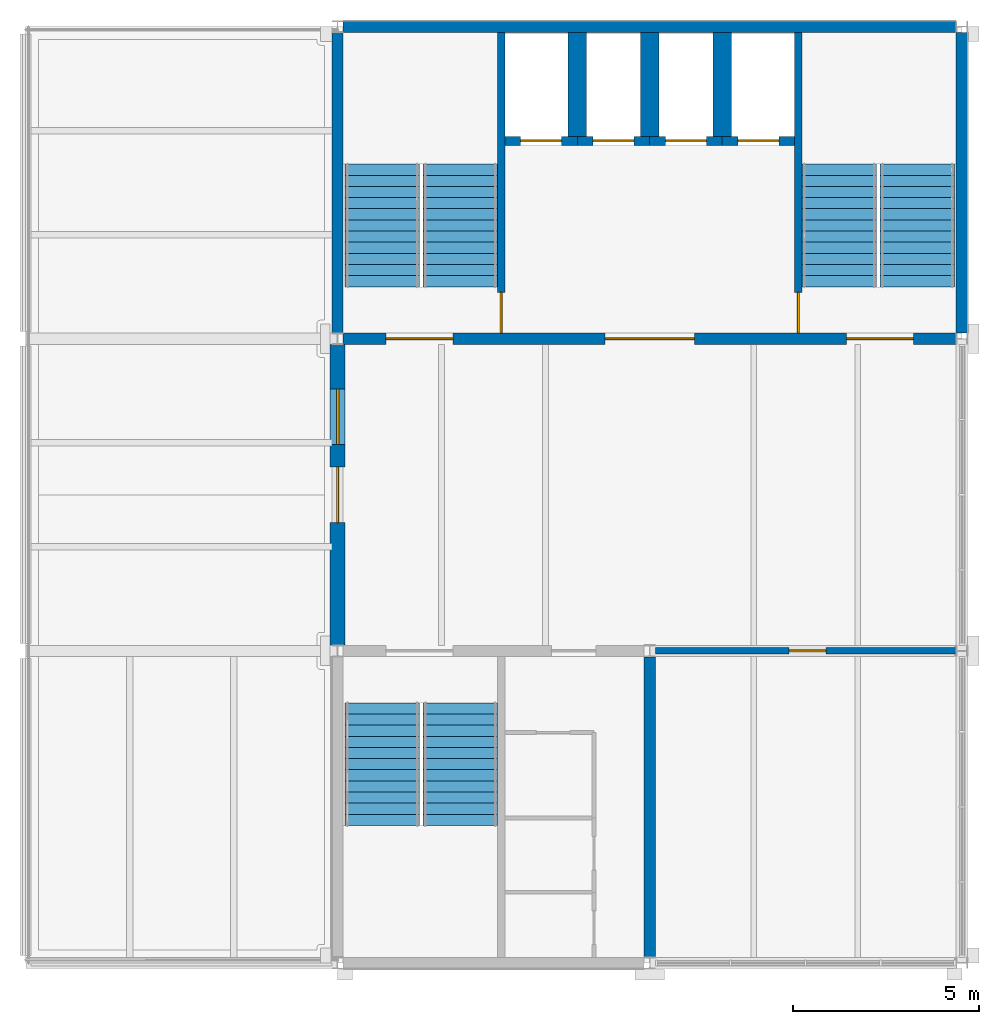
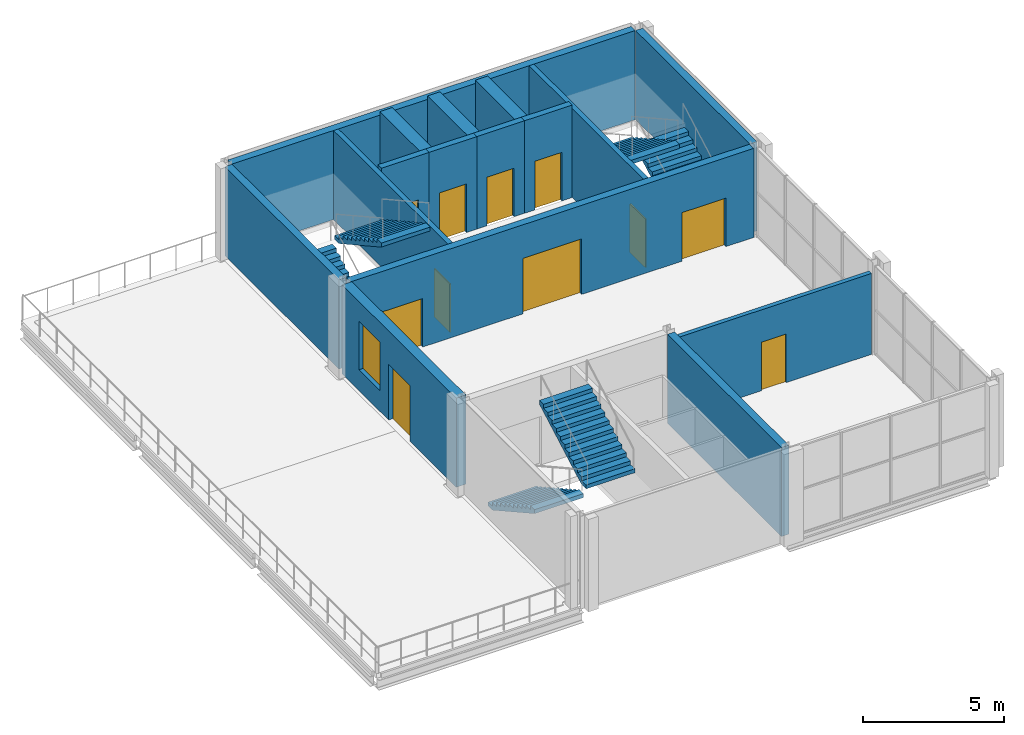
# One storey, part 5 of 6: 16 walls, 11 doors, 6 stair flights, 1 window, 12 openings, 3 elements without a shape of their own.
"""IFC4 building model written with IfcOpenShell, lengths in metres."""

from ifc_helpers import new_model, si_unit, direction, frame, frame_2d, origin, place, context, subcontext, project, spatial, polyline, rectangle, outline, extrude, material, layer, layer_set, type_object, element, fill, aggregate, save


model = new_model("IFC4")

# Units and contexts
model_context = context("Model", 3, precision=1e-05, world=origin(), true_north=direction((0.0, 1.0)))
body_context = subcontext(model_context, "Body", "Model", "MODEL_VIEW")
ifc_project = project(units=[si_unit("LENGTHUNIT", "METRE"), si_unit("AREAUNIT", "SQUARE_METRE"), si_unit("VOLUMEUNIT", "CUBIC_METRE"), si_unit("PLANEANGLEUNIT", "RADIAN"), si_unit("MASSUNIT", "GRAM", prefix="KILO")], contexts=[model_context])

# Site, building, storey
site_placement = place(None, origin())
site = spatial("IfcSite", under=ifc_project, at=site_placement, CompositionType="ELEMENT")
building_placement = place(site_placement, origin())
building = spatial("IfcBuilding", under=site, at=building_placement, Name="Galleria Vessillo Department Store", CompositionType="ELEMENT")
storey_placement = place(building_placement, frame((0.0, 0.0, 59.60009765625)))
storey = spatial("IfcBuildingStorey", under=building, at=storey_placement, Name="L13", CompositionType="ELEMENT", Elevation=59.60009765625)

# Wall, opening, door
ifc_material_1 = material(Name="Acoustic gypsum board partition")
ifc_layer_1 = layer(ifc_material_1, 0.175048828125)
ifc_layer_set_1 = layer_set([ifc_layer_1], Name="Acoustic gypsum board partition")
wall_type_1 = type_object("IfcWallType", Name="Acoustic conference partition 175 mm", PredefinedType="PARTITIONING", material=ifc_layer_set_1)
wall_1_placement = place(storey_placement, frame((109.349853515625, 46.199951171875, 0.0), z_axis=(0.0, 0.0, 1.0), x_axis=(1.0, 0.0, 0.0)))
wall_1 = element("IfcWall", 1, at=wall_1_placement, inside=storey, type_object=wall_type_1, Name="Partition wall PT6 on L13 no. 007", PredefinedType="PARTITIONING", context=body_context, shape_type="SweptSolid", body=[
    extrude(rectangle(XDim=8.09033203125, YDim=0.175048828125, at=frame_2d((4.045166015625, 0.0))), origin(), (0.0, 0.0, 1.0), 3.5),
])
opening_1_placement = place(wall_1_placement, frame((3.60009765625, 0.0, 0.0)))
opening_1 = element("IfcOpeningElement", 2, at=opening_1_placement, cuts=wall_1, Name="Opening D3504", PredefinedType="OPENING", context=body_context, shape_type="SweptSolid", body=[
    extrude(rectangle(XDim=1.0, YDim=2.10009765625, at=frame_2d((0.5, 1.050048828125))), frame((0.0, 0.09765625, 0.0), z_axis=(0.0, -1.0, 0.0), x_axis=(1.0, 0.0, 0.0)), (0.0, 0.0, 1.0), 0.195068359375),
])
ifc_material_2 = material(Name="Timber and glass door leaf", Category="wood")
door_type_1 = type_object("IfcDoorType", Name="Floor door 1000 single leaf", OperationType="SINGLE_SWING_LEFT", PredefinedType="DOOR", material=ifc_material_2)
door_1_placement = place(opening_1_placement, frame((1.0, 0.0, 0.0), z_axis=(0.0, 0.0, 1.0), x_axis=(-1.0, 0.0, 0.0)))
door_1 = element("IfcDoor", 3, at=door_1_placement, inside=storey, type_object=door_type_1, Name="Door D3504", OperationType="SINGLE_SWING_RIGHT", OverallHeight=2.10009765625, OverallWidth=1.0, PredefinedType="DOOR", context=body_context, shape_type="SweptSolid", body=[
    extrude(rectangle(XDim=1.0, YDim=2.10009765625, at=frame_2d((0.5, 1.050048828125))), frame((0.0, 0.02490234375, 0.0), z_axis=(0.0, -1.0, 0.0), x_axis=(1.0, 0.0, 0.0)), (0.0, 0.0, 1.0), 0.050048828125),
])
fill(opening_1, door_1)

# Walls
ifc_material_3 = material(Name="Solid clay block masonry", Category="masonry")
ifc_layer_2 = layer(ifc_material_3, 0.5)
ifc_layer_set_2 = layer_set([ifc_layer_2], Name="Solid clay block masonry")
wall_type_2 = type_object("IfcWallType", Name="Lift shaft partition wall 500 mm", PredefinedType="SOLIDWALL", material=ifc_layer_set_2)
for number, where, z_axis, x_axis, name in (
    (4, (107.25, 62.85009765625, 0.0), (0.0, 0.0, 1.0), (0.0, -1.0, 0.0), "Lift shaft partition wall T1 L13"),
    (5, (109.199951171875, 62.85009765625, 0.0), (0.0, 0.0, 1.0), (0.0, -1.0, 0.0), "Lift shaft partition wall T2 L13"),
    (6, (111.14990234375, 62.85009765625, 0.0), (0.0, 0.0, 1.0), (0.0, -1.0, 0.0), "Lift shaft partition wall T3 L13"),
):
    element("IfcWall", number, at=place(storey_placement, frame(where, z_axis=z_axis, x_axis=x_axis)), inside=storey, type_object=wall_type_2, Name=name, PredefinedType="SOLIDWALL", context=body_context, shape_type="SweptSolid", body=[
        extrude(rectangle(XDim=2.800048828125, YDim=0.5, at=frame_2d((1.39990234375, 0.0))), origin(), (0.0, 0.0, 1.0), 4.0),
    ])

# Wall, opening, door
ifc_material_4 = material(Name="Solid clay block masonry", Category="masonry")
ifc_layer_3 = layer(ifc_material_4, 0.25)
ifc_layer_set_3 = layer_set([ifc_layer_3], Name="Solid clay block masonry")
wall_type_3 = type_object("IfcWallType", Name="Lift shaft wall 250 mm", PredefinedType="SOLIDWALL", material=ifc_layer_set_3)
wall_2_placement = place(storey_placement, frame((105.300048828125, 59.925048828125, 0.0), z_axis=(0.0, 0.0, 1.0), x_axis=(1.0, 0.0, 0.0)))
wall_2 = element("IfcWall", 7, at=wall_2_placement, inside=storey, type_object=wall_type_3, Name="Lift shaft wall T1 landing side L13", PredefinedType="SOLIDWALL", context=body_context, shape_type="SweptSolid", body=[
    extrude(rectangle(XDim=1.949951171875, YDim=0.25, at=frame_2d((0.97509765625, 0.0))), origin(), (0.0, 0.0, 1.0), 4.0),
])
opening_2_placement = place(wall_2_placement, frame((0.4248046875, 0.0, 0.0)))
opening_2 = element("IfcOpeningElement", 8, at=opening_2_placement, cuts=wall_2, Name="Opening LD125", PredefinedType="OPENING", context=body_context, shape_type="SweptSolid", body=[
    extrude(rectangle(XDim=1.10009765625, YDim=2.10009765625, at=frame_2d((0.550048828125, 1.050048828125))), frame((0.0, 0.135009765625, 0.0), z_axis=(0.0, -1.0, 0.0), x_axis=(1.0, 0.0, 0.0)), (0.0, 0.0, 1.0), 0.27001953125),
])
ifc_material_5 = material(Name="Stainless steel lift door panel", Category="steel")
door_type_2 = type_object("IfcDoorType", Name="Lift landing door LD110 sliding 1100 x 2100", OperationType="SLIDING_TO_LEFT", PredefinedType="DOOR", material=ifc_material_5)
door_2_placement = place(opening_2_placement, frame((1.10009765625, 0.0, 0.0), z_axis=(0.0, 0.0, 1.0), x_axis=(-1.0, 0.0, 0.0)))
door_2 = element("IfcDoor", 9, at=door_2_placement, inside=storey, type_object=door_type_2, Name="Lift landing door T1 L13", OperationType="SLIDING_TO_RIGHT", OverallHeight=2.10009765625, OverallWidth=1.10009765625, PredefinedType="DOOR", context=body_context, shape_type="SweptSolid", body=[
    extrude(rectangle(XDim=1.10009765625, YDim=2.10009765625, at=frame_2d((0.550048828125, 1.050048828125))), frame((0.0, 0.02490234375, 0.0), z_axis=(0.0, -1.0, 0.0), x_axis=(1.0, 0.0, 0.0)), (0.0, 0.0, 1.0), 0.050048828125),
])
fill(opening_2, door_2)

wall_3_placement = place(storey_placement, frame((107.25, 59.925048828125, 0.0), z_axis=(0.0, 0.0, 1.0), x_axis=(1.0, 0.0, 0.0)))
wall_3 = element("IfcWall", 10, at=wall_3_placement, inside=storey, type_object=wall_type_3, Name="Lift shaft wall T2 landing side L13", PredefinedType="SOLIDWALL", context=body_context, shape_type="SweptSolid", body=[
    extrude(rectangle(XDim=1.949951171875, YDim=0.25, at=frame_2d((0.97509765625, 0.0))), origin(), (0.0, 0.0, 1.0), 4.0),
])
opening_3_placement = place(wall_3_placement, frame((0.425048828125, 0.0, 0.0)))
opening_3 = element("IfcOpeningElement", 11, at=opening_3_placement, cuts=wall_3, Name="Opening LD126", PredefinedType="OPENING", context=body_context, shape_type="SweptSolid", body=[
    extrude(rectangle(XDim=1.10009765625, YDim=2.10009765625, at=frame_2d((0.550048828125, 1.050048828125))), frame((0.0, 0.135009765625, 0.0), z_axis=(0.0, -1.0, 0.0), x_axis=(1.0, 0.0, 0.0)), (0.0, 0.0, 1.0), 0.27001953125),
])
door_3_placement = place(opening_3_placement, frame((1.10009765625, 0.0, 0.0), z_axis=(0.0, 0.0, 1.0), x_axis=(-1.0, 0.0, 0.0)))
door_3 = element("IfcDoor", 12, at=door_3_placement, inside=storey, type_object=door_type_2, Name="Lift landing door T2 L13", OperationType="SLIDING_TO_RIGHT", OverallHeight=2.10009765625, OverallWidth=1.10009765625, PredefinedType="DOOR", context=body_context, shape_type="SweptSolid", body=[
    extrude(rectangle(XDim=1.10009765625, YDim=2.10009765625, at=frame_2d((0.550048828125, 1.050048828125))), frame((0.0, 0.02490234375, 0.0), z_axis=(0.0, -1.0, 0.0), x_axis=(1.0, 0.0, 0.0)), (0.0, 0.0, 1.0), 0.050048828125),
])
fill(opening_3, door_3)

wall_4_placement = place(storey_placement, frame((109.199951171875, 59.925048828125, 0.0), z_axis=(0.0, 0.0, 1.0), x_axis=(1.0, 0.0, 0.0)))
wall_4 = element("IfcWall", 13, at=wall_4_placement, inside=storey, type_object=wall_type_3, Name="Lift shaft wall T3 landing side L13", PredefinedType="SOLIDWALL", context=body_context, shape_type="SweptSolid", body=[
    extrude(rectangle(XDim=1.949951171875, YDim=0.25, at=frame_2d((0.97509765625, 0.0))), origin(), (0.0, 0.0, 1.0), 4.0),
])
opening_4_placement = place(wall_4_placement, frame((0.425048828125, 0.0, 0.0)))
opening_4 = element("IfcOpeningElement", 14, at=opening_4_placement, cuts=wall_4, Name="Opening LD127", PredefinedType="OPENING", context=body_context, shape_type="SweptSolid", body=[
    extrude(rectangle(XDim=1.10009765625, YDim=2.10009765625, at=frame_2d((0.550048828125, 1.050048828125))), frame((0.0, 0.135009765625, 0.0), z_axis=(0.0, -1.0, 0.0), x_axis=(1.0, 0.0, 0.0)), (0.0, 0.0, 1.0), 0.27001953125),
])
door_4_placement = place(opening_4_placement, frame((1.10009765625, 0.0, 0.0), z_axis=(0.0, 0.0, 1.0), x_axis=(-1.0, 0.0, 0.0)))
door_4 = element("IfcDoor", 15, at=door_4_placement, inside=storey, type_object=door_type_2, Name="Lift landing door T3 L13", OperationType="SLIDING_TO_RIGHT", OverallHeight=2.10009765625, OverallWidth=1.10009765625, PredefinedType="DOOR", context=body_context, shape_type="SweptSolid", body=[
    extrude(rectangle(XDim=1.10009765625, YDim=2.10009765625, at=frame_2d((0.550048828125, 1.050048828125))), frame((0.0, 0.02490234375, 0.0), z_axis=(0.0, -1.0, 0.0), x_axis=(1.0, 0.0, 0.0)), (0.0, 0.0, 1.0), 0.050048828125),
])
fill(opening_4, door_4)

wall_5_placement = place(storey_placement, frame((111.14990234375, 59.925048828125, 0.0), z_axis=(0.0, 0.0, 1.0), x_axis=(1.0, 0.0, 0.0)))
wall_5 = element("IfcWall", 16, at=wall_5_placement, inside=storey, type_object=wall_type_3, Name="Lift shaft wall T4 landing side L13", PredefinedType="SOLIDWALL", context=body_context, shape_type="SweptSolid", body=[
    extrude(rectangle(XDim=1.9501953125, YDim=0.25, at=frame_2d((0.97509765625, 0.0))), origin(), (0.0, 0.0, 1.0), 4.0),
])
opening_5_placement = place(wall_5_placement, frame((0.425048828125, 0.0, 0.0)))
opening_5 = element("IfcOpeningElement", 17, at=opening_5_placement, cuts=wall_5, Name="Opening LD128", PredefinedType="OPENING", context=body_context, shape_type="SweptSolid", body=[
    extrude(rectangle(XDim=1.10009765625, YDim=2.10009765625, at=frame_2d((0.550048828125, 1.050048828125))), frame((0.0, 0.135009765625, 0.0), z_axis=(0.0, -1.0, 0.0), x_axis=(1.0, 0.0, 0.0)), (0.0, 0.0, 1.0), 0.27001953125),
])
door_5_placement = place(opening_5_placement, frame((1.10009765625, 0.0, 0.0), z_axis=(0.0, 0.0, 1.0), x_axis=(-1.0, 0.0, 0.0)))
door_5 = element("IfcDoor", 18, at=door_5_placement, inside=storey, type_object=door_type_2, Name="Lift landing door T4 L13", OperationType="SLIDING_TO_LEFT", OverallHeight=2.10009765625, OverallWidth=1.10009765625, PredefinedType="DOOR", context=body_context, shape_type="SweptSolid", body=[
    extrude(rectangle(XDim=1.10009765625, YDim=2.10009765625, at=frame_2d((0.550048828125, 1.050048828125))), frame((0.0, 0.02490234375, 0.0), z_axis=(0.0, -1.0, 0.0), x_axis=(1.0, 0.0, 0.0)), (0.0, 0.0, 1.0), 0.050048828125),
])
fill(opening_5, door_5)

# Wall, openings, door, window
ifc_material_6 = material(Name="Reinforced masonry, limestone units 80 MPa", Category="masonry")
ifc_layer_4 = layer(ifc_material_6, 0.39990234375)
ifc_layer_set_4 = layer_set([ifc_layer_4], Name="Reinforced masonry, limestone units 80 MPa")
wall_type_4 = type_object("IfcWallType", Name="Load-bearing limestone-faced wall 400 mm", PredefinedType="STANDARD", material=ifc_layer_set_4)
wall_6_placement = place(storey_placement, frame((100.800048828125, 46.35986328125, 0.0), z_axis=(0.0, 0.0, 1.0), x_axis=(0.0, 1.0, 0.0)))
wall_6 = element("IfcWall", 19, at=wall_6_placement, inside=storey, type_object=wall_type_4, Name="Load-bearing limestone-faced wall 400 mm TW-L13-01", PredefinedType="STANDARD", context=body_context, shape_type="SweptSolid", body=[
    extrude(rectangle(XDim=8.080322265625, YDim=0.39990234375, at=frame_2d((4.0400390625, 0.0))), origin(), (0.0, 0.0, 1.0), 3.85009765625),
])
opening_6_placement = place(wall_6_placement, frame((5.39013671875, 0.0, 0.89990234375)))
opening_6 = element("IfcOpeningElement", 20, at=opening_6_placement, cuts=wall_6, Name="Opening W098", PredefinedType="OPENING", context=body_context, shape_type="SweptSolid", body=[
    extrude(rectangle(XDim=1.5, YDim=2.10009765625, at=frame_2d((0.75, 1.050048828125))), frame((0.0, 0.2099609375, 0.0), z_axis=(0.0, -1.0, 0.0), x_axis=(1.0, 0.0, 0.0)), (0.0, 0.0, 1.0), 0.419921875),
])
opening_7_placement = place(wall_6_placement, frame((3.2900390625, 0.0, 0.0)))
opening_7 = element("IfcOpeningElement", 21, at=opening_7_placement, cuts=wall_6, Name="Opening DT13-W50", PredefinedType="OPENING", context=body_context, shape_type="SweptSolid", body=[
    extrude(rectangle(XDim=1.5, YDim=2.39990234375, at=frame_2d((0.75, 1.199951171875))), frame((0.0, 0.2099609375, 0.0), z_axis=(0.0, -1.0, 0.0), x_axis=(1.0, 0.0, 0.0)), (0.0, 0.0, 1.0), 0.419921875),
])
ifc_material_7 = material(Name="Aluminium frame with laminated glass 44.2", Category="aluminium")
door_type_3 = type_object("IfcDoorType", Name="Setback terrace door 1500 x 2400", OperationType="DOUBLE_DOOR_SINGLE_SWING", PredefinedType="DOOR", material=ifc_material_7)
door_6_placement = place(opening_7_placement, origin())
door_6 = element("IfcDoor", 22, at=door_6_placement, inside=storey, type_object=door_type_3, Name="Setback terrace door 1500 x 2400 DT13-W50", OperationType="DOUBLE_DOOR_SINGLE_SWING", OverallHeight=2.39990234375, OverallWidth=1.5, PredefinedType="DOOR", context=body_context, shape_type="SweptSolid", body=[
    extrude(rectangle(XDim=1.5, YDim=2.39990234375, at=frame_2d((0.75, 1.199951171875))), frame((0.0, 0.02490234375, 0.0), z_axis=(0.0, -1.0, 0.0), x_axis=(1.0, 0.0, 0.0)), (0.0, 0.0, 1.0), 0.050048828125),
])
fill(opening_7, door_6)
ifc_material_8 = material(Name="Aluminium frame with laminated glass 44.2", Category="aluminium")
window_type = type_object("IfcWindowType", Name="Tower window, crown storeys 1500 x 2100", PartitioningType="SINGLE_PANEL", PredefinedType="WINDOW", material=ifc_material_8)
window_placement = place(opening_6_placement, origin())
window = element("IfcWindow", 23, at=window_placement, inside=storey, type_object=window_type, Name="E-WIN-TW-L13-01-098", OverallHeight=2.10009765625, OverallWidth=1.5, PartitioningType="SINGLE_PANEL", PredefinedType="WINDOW", context=body_context, shape_type="SweptSolid", body=[
    extrude(rectangle(XDim=1.5, YDim=2.10009765625, at=frame_2d((0.75, 1.050048828125))), frame((0.0, 0.030029296875, 0.0), z_axis=(0.0, -1.0, 0.0), x_axis=(1.0, 0.0, 0.0)), (0.0, 0.0, 1.0), 0.06005859375),
])
fill(opening_6, window)

# Wall, openings, doors
ifc_material_9 = material(Name="Concrete C32/40 reinforced", Category="concrete")
ifc_layer_5 = layer(ifc_material_9, 0.300048828125)
ifc_layer_set_5 = layer_set([ifc_layer_5], Name="Concrete C32/40 reinforced")
wall_type_5 = type_object("IfcWallType", Name="Reinforced concrete core wall 300 mm", PredefinedType="SHEAR", material=ifc_layer_set_5)
wall_7_placement = place(storey_placement, frame((100.949951171875, 54.60009765625, 0.0), z_axis=(0.0, 0.0, 1.0), x_axis=(1.0, 0.0, 0.0)))
wall_7 = element("IfcWall", 24, at=wall_7_placement, inside=storey, type_object=wall_type_5, Name="S-CW-TC-INTERIOR-L13", PredefinedType="SHEAR", context=body_context, shape_type="SweptSolid", body=[
    extrude(rectangle(XDim=16.490234375, YDim=0.300048828125, at=frame_2d((8.2451171875, 0.0))), origin(), (0.0, 0.0, 1.0), 3.85009765625),
])
opening_8_placement = place(wall_7_placement, frame((1.14990234375, 0.0, 0.0)))
opening_8 = element("IfcOpeningElement", 25, at=opening_8_placement, cuts=wall_7, Name="Opening D5307", PredefinedType="OPENING", context=body_context, shape_type="SweptSolid", body=[
    extrude(rectangle(XDim=1.800048828125, YDim=2.10009765625, at=frame_2d((0.89990234375, 1.050048828125))), frame((0.0, 0.16015625, 0.0), z_axis=(0.0, -1.0, 0.0), x_axis=(1.0, 0.0, 0.0)), (0.0, 0.0, 1.0), 0.320068359375),
])
opening_9_placement = place(wall_7_placement, frame((13.5498046875, 0.0, 0.0)))
opening_9 = element("IfcOpeningElement", 26, at=opening_9_placement, cuts=wall_7, Name="Opening D5308", PredefinedType="OPENING", context=body_context, shape_type="SweptSolid", body=[
    extrude(rectangle(XDim=1.800048828125, YDim=2.10009765625, at=frame_2d((0.89990234375, 1.050048828125))), frame((0.0, 0.16015625, 0.0), z_axis=(0.0, -1.0, 0.0), x_axis=(1.0, 0.0, 0.0)), (0.0, 0.0, 1.0), 0.320068359375),
])
opening_10_placement = place(wall_7_placement, frame((7.0498046875, 0.0, 0.0)))
opening_10 = element("IfcOpeningElement", 27, at=opening_10_placement, cuts=wall_7, Name="Opening D5309", PredefinedType="OPENING", context=body_context, shape_type="SweptSolid", body=[
    extrude(rectangle(XDim=2.39990234375, YDim=2.39990234375, at=frame_2d((1.199951171875, 1.199951171875))), frame((0.0, 0.16015625, 0.0), z_axis=(0.0, -1.0, 0.0), x_axis=(1.0, 0.0, 0.0)), (0.0, 0.0, 1.0), 0.320068359375),
])
ifc_material_10 = material(Name="Fire-rated steel door leaf", Category="steel")
door_type_4 = type_object("IfcDoorType", Name="Door D180F double leaf 1800 x 2100", OperationType="DOUBLE_DOOR_SINGLE_SWING", PredefinedType="DOOR", material=ifc_material_10)
door_7_placement = place(opening_8_placement, origin())
door_7 = element("IfcDoor", 28, at=door_7_placement, inside=storey, type_object=door_type_4, Name="Lobby door TC-ST8-FLOOR L13", OperationType="DOUBLE_DOOR_SINGLE_SWING", OverallHeight=2.10009765625, OverallWidth=1.800048828125, PredefinedType="DOOR", context=body_context, shape_type="SweptSolid", body=[
    extrude(rectangle(XDim=1.800048828125, YDim=2.10009765625, at=frame_2d((0.89990234375, 1.050048828125))), frame((0.0, 0.02490234375, 0.0), z_axis=(0.0, -1.0, 0.0), x_axis=(1.0, 0.0, 0.0)), (0.0, 0.0, 1.0), 0.050048828125),
])
fill(opening_8, door_7)
door_8_placement = place(opening_9_placement, origin())
door_8 = element("IfcDoor", 29, at=door_8_placement, inside=storey, type_object=door_type_4, Name="Lobby door TC-ST9-FLOOR L13", OperationType="DOUBLE_DOOR_SINGLE_SWING", OverallHeight=2.10009765625, OverallWidth=1.800048828125, PredefinedType="DOOR", context=body_context, shape_type="SweptSolid", body=[
    extrude(rectangle(XDim=1.800048828125, YDim=2.10009765625, at=frame_2d((0.89990234375, 1.050048828125))), frame((0.0, 0.02490234375, 0.0), z_axis=(0.0, -1.0, 0.0), x_axis=(1.0, 0.0, 0.0)), (0.0, 0.0, 1.0), 0.050048828125),
])
fill(opening_9, door_8)
ifc_material_11 = material(Name="Fire-rated steel door leaf", Category="steel")
door_type_5 = type_object("IfcDoorType", Name="Door D240F double leaf 2400 x 2400", OperationType="DOUBLE_DOOR_SINGLE_SWING", PredefinedType="DOOR", material=ifc_material_11)
door_9_placement = place(opening_10_placement, frame((2.39990234375, 0.0, 0.0), z_axis=(0.0, 0.0, 1.0), x_axis=(-1.0, 0.0, 0.0)))
door_9 = element("IfcDoor", 30, at=door_9_placement, inside=storey, type_object=door_type_5, Name="Lobby door TC-LOBBY-FLOOR L13", OperationType="DOUBLE_DOOR_SINGLE_SWING", OverallHeight=2.39990234375, OverallWidth=2.39990234375, PredefinedType="DOOR", context=body_context, shape_type="SweptSolid", body=[
    extrude(rectangle(XDim=2.39990234375, YDim=2.39990234375, at=frame_2d((1.199951171875, 1.199951171875))), frame((0.0, 0.02490234375, 0.0), z_axis=(0.0, -1.0, 0.0), x_axis=(1.0, 0.0, 0.0)), (0.0, 0.0, 1.0), 0.050048828125),
])
fill(opening_10, door_9)

# Walls
for number, where, z_axis, x_axis, name in (
    (31, (100.800048828125, 54.760009765625, 0.0), (0.0, 0.0, 1.0), (0.0, 1.0, 0.0), "S-CW-TC-WEST-L13"),
    (32, (109.199951171875, 37.9599609375, 0.0), (0.0, 0.0, 1.0), (0.0, 1.0, 0.0), "S-CW-TS-EAST-L13"),
):
    element("IfcWall", number, at=place(storey_placement, frame(where, z_axis=z_axis, x_axis=x_axis)), inside=storey, type_object=wall_type_5, Name=name, PredefinedType="SHEAR", context=body_context, shape_type="SweptSolid", body=[
        extrude(rectangle(XDim=8.080078125, YDim=0.300048828125, at=frame_2d((4.0400390625, 0.0))), origin(), (0.0, 0.0, 1.0), 3.85009765625),
    ])
ifc_material_12 = material(Name="Concrete C32/40 reinforced", Category="concrete")
ifc_layer_6 = layer(ifc_material_12, 0.300048828125)
ifc_layer_set_6 = layer_set([ifc_layer_6], Name="Concrete C32/40 reinforced")
wall_type_6 = type_object("IfcWallType", Name="Reinforced concrete core wall 300 mm, external", PredefinedType="SHEAR", material=ifc_layer_set_6)
wall_8_placement = place(storey_placement, frame((100.949951171875, 63.0, 0.0), z_axis=(0.0, 0.0, 1.0), x_axis=(1.0, 0.0, 0.0)))
element("IfcWall", 33, at=wall_8_placement, inside=storey, type_object=wall_type_6, Name="S-CW-TC-PARTY-L13", PredefinedType="SHEAR", context=body_context, shape_type="SweptSolid", body=[
    extrude(rectangle(XDim=16.490234375, YDim=0.300048828125, at=frame_2d((8.2451171875, 0.0))), origin(), (0.0, 0.0, 1.0), 3.85009765625),
])
wall_9_placement = place(storey_placement, frame((117.60009765625, 54.75, 0.0), z_axis=(0.0, 0.0, 1.0), x_axis=(0.0, 1.0, 0.0)))
element("IfcWall", 34, at=wall_9_placement, inside=storey, type_object=wall_type_6, Name="S-CW-TC-EAST-L13", PredefinedType="SHEAR", context=body_context, shape_type="SweptSolid", body=[
    extrude(rectangle(XDim=8.10009765625, YDim=0.300048828125, at=frame_2d((4.050048828125, 0.0))), origin(), (0.0, 0.0, 1.0), 3.85009765625),
])

# Wall, opening, door
ifc_material_13 = material(Name="Concrete C32/40 reinforced", Category="concrete")
ifc_layer_7 = layer(ifc_material_13, 0.199951171875)
ifc_layer_set_7 = layer_set([ifc_layer_7], Name="Concrete C32/40 reinforced")
wall_type_7 = type_object("IfcWallType", Name="Reinforced concrete stair enclosure wall 200 mm", PredefinedType="SHEAR", material=ifc_layer_set_7)
wall_10_placement = place(storey_placement, frame((105.199951171875, 62.85009765625, 0.0), z_axis=(0.0, 0.0, 1.0), x_axis=(0.0, -1.0, 0.0)))
wall_10 = element("IfcWall", 35, at=wall_10_placement, inside=storey, type_object=wall_type_7, Name="Stair enclosure wall TC L13", PredefinedType="SHEAR", context=body_context, shape_type="SweptSolid", body=[
    extrude(rectangle(XDim=8.10009765625, YDim=0.199951171875, at=frame_2d((4.050048828125, 0.0))), origin(), (0.0, 0.0, 1.0), 3.849853515625),
])
opening_11_placement = place(wall_10_placement, frame((7.0, 0.0, 0.0)))
opening_11 = element("IfcOpeningElement", 36, at=opening_11_placement, cuts=wall_10, Name="Opening D5305", PredefinedType="OPENING", context=body_context, shape_type="SweptSolid", body=[
    extrude(rectangle(XDim=1.11009765625, YDim=2.10009765625, at=frame_2d((0.554931640625, 1.050048828125))), frame((0.0, 0.10986328125, 0.0), z_axis=(0.0, -1.0, 0.0), x_axis=(1.0, 0.0, 0.0)), (0.0, 0.0, 1.0), 0.219970703125),
])
ifc_material_14 = material(Name="Fire-rated steel door leaf", Category="steel")
door_type_6 = type_object("IfcDoorType", Name="Door D110F stair door 1100 x 2100", OperationType="SINGLE_SWING_LEFT", PredefinedType="DOOR", material=ifc_material_14)
door_10_placement = place(opening_11_placement, frame((1.10009765625, 0.0, 0.0), z_axis=(0.0, 0.0, 1.0), x_axis=(-1.0, 0.0, 0.0)))
door_10 = element("IfcDoor", 37, at=door_10_placement, inside=storey, type_object=door_type_6, Name="Stair door TC-ST8-LOBBY L13", OperationType="SINGLE_SWING_LEFT", OverallHeight=2.10009765625, OverallWidth=1.10009765625, PredefinedType="DOOR", context=body_context, shape_type="SweptSolid", body=[
    extrude(rectangle(XDim=1.10009765625, YDim=2.10009765625, at=frame_2d((0.550048828125, 1.050048828125))), frame((0.0, 0.02490234375, 0.0), z_axis=(0.0, -1.0, 0.0), x_axis=(1.0, 0.0, 0.0)), (0.0, 0.0, 1.0), 0.050048828125),
])
fill(opening_11, door_10)

wall_11_placement = place(storey_placement, frame((113.199951171875, 62.85009765625, 0.0), z_axis=(0.0, 0.0, 1.0), x_axis=(0.0, -1.0, 0.0)))
wall_11 = element("IfcWall", 38, at=wall_11_placement, inside=storey, type_object=wall_type_7, Name="Stair enclosure wall TC L13", PredefinedType="SHEAR", context=body_context, shape_type="SweptSolid", body=[
    extrude(rectangle(XDim=8.10009765625, YDim=0.199951171875, at=frame_2d((4.050048828125, 0.0))), origin(), (0.0, 0.0, 1.0), 3.849853515625),
])
opening_12_placement = place(wall_11_placement, frame((7.0, 0.0, 0.0)))
opening_12 = element("IfcOpeningElement", 39, at=opening_12_placement, cuts=wall_11, Name="Opening D5306", PredefinedType="OPENING", context=body_context, shape_type="SweptSolid", body=[
    extrude(rectangle(XDim=1.11009765625, YDim=2.10009765625, at=frame_2d((0.554931640625, 1.050048828125))), frame((0.0, 0.10986328125, 0.0), z_axis=(0.0, -1.0, 0.0), x_axis=(1.0, 0.0, 0.0)), (0.0, 0.0, 1.0), 0.219970703125),
])
door_11_placement = place(opening_12_placement, origin())
door_11 = element("IfcDoor", 40, at=door_11_placement, inside=storey, type_object=door_type_6, Name="Stair door TC-ST9-LOBBY L13", OperationType="SINGLE_SWING_RIGHT", OverallHeight=2.10009765625, OverallWidth=1.10009765625, PredefinedType="DOOR", context=body_context, shape_type="SweptSolid", body=[
    extrude(rectangle(XDim=1.10009765625, YDim=2.10009765625, at=frame_2d((0.550048828125, 1.050048828125))), frame((0.0, 0.02490234375, 0.0), z_axis=(0.0, -1.0, 0.0), x_axis=(1.0, 0.0, 0.0)), (0.0, 0.0, 1.0), 0.050048828125),
])
fill(opening_12, door_11)

# Stair, stair flights
ifc_material_15 = material(Name="Concrete C32/40", Category="concrete")
stair_type = type_object("IfcStairType", Name="Half-turn escape stair 2000 mm, 24 risers of 167 mm", PredefinedType="HALF_TURN_STAIR", material=ifc_material_15)
stair_1_placement = place(storey_placement, origin())
stair_1 = element("IfcStair", 41, at=stair_1_placement, inside=storey, type_object=stair_type, Name="Stair ST8 L13", PredefinedType="HALF_TURN_STAIR")
ifc_material_16 = material(Name="Concrete C32/40", Category="concrete")
stair_flight_type = type_object("IfcStairFlightType", Name="Stair flight 2000 mm, 12 risers of 167 mm", PredefinedType="STRAIGHT", material=ifc_material_16)
stair_flight_1_placement = place(storey_placement, frame((102.0, 55.99951171875, 0.0), z_axis=(0.0, 0.0, 1.0), x_axis=(0.0, 1.0, 0.0)))
stair_flight_1 = element("IfcStairFlight", 42, at=stair_flight_1_placement, type_object=stair_flight_type, Name="ST8 flight 1", NumberOfRisers=12, NumberOfTreads=11, PredefinedType="STRAIGHT", RiserHeight=0.166666667, TreadLength=0.3, context=body_context, shape_type="SweptSolid", body=[
    extrude(outline(polyline([(0.0, 0.0), (0.0, 0.166748046875), (0.300048828125, 0.166748046875), (0.300048828125, 0.333251953125), (0.60009765625, 0.333251953125), (0.60009765625, 0.5), (0.89990234375, 0.5), (0.89990234375, 0.666748046875), (1.199951171875, 0.666748046875), (1.199951171875, 0.833251953125), (1.5, 0.833251953125), (1.5, 1.0), (1.800048828125, 1.0), (1.800048828125, 1.166748046875), (2.10009765625, 1.166748046875), (2.10009765625, 1.333251953125), (2.39990234375, 1.333251953125), (2.39990234375, 1.5), (2.699951171875, 1.5), (2.699951171875, 1.666748046875), (3.0, 1.666748046875), (3.0, 1.833251953125), (3.300048828125, 1.833251953125), (3.300048828125, 2.0), (3.300048828125, 1.661865234375), (0.30859375, 0.0), (0.0, 0.0)])), frame((0.0, 1.0, 0.0), z_axis=(0.0, -1.0, 0.0), x_axis=(1.0, 0.0, 0.0)), (0.0, 0.0, 1.0), 2.0),
])
stair_flight_2_placement = place(storey_placement, frame((104.10009765625, 59.299560546875, 2.0), z_axis=(0.0, 0.0, 1.0), x_axis=(0.0, -1.0, 0.0)))
stair_flight_2 = element("IfcStairFlight", 43, at=stair_flight_2_placement, type_object=stair_flight_type, Name="ST8 flight 2", NumberOfRisers=12, NumberOfTreads=11, PredefinedType="STRAIGHT", RiserHeight=0.166666667, TreadLength=0.3, context=body_context, shape_type="SweptSolid", body=[
    extrude(outline(polyline([(0.0, 0.0), (0.0, 0.166748046875), (0.300048828125, 0.166748046875), (0.300048828125, 0.333251953125), (0.60009765625, 0.333251953125), (0.60009765625, 0.5), (0.89990234375, 0.5), (0.89990234375, 0.666748046875), (1.199951171875, 0.666748046875), (1.199951171875, 0.833251953125), (1.5, 0.833251953125), (1.5, 1.0), (1.800048828125, 1.0), (1.800048828125, 1.166748046875), (2.10009765625, 1.166748046875), (2.10009765625, 1.333251953125), (2.39990234375, 1.333251953125), (2.39990234375, 1.5), (2.699951171875, 1.5), (2.699951171875, 1.666748046875), (3.0, 1.666748046875), (3.0, 1.833251953125), (3.300048828125, 1.833251953125), (3.300048828125, 2.0), (3.300048828125, 1.661865234375), (0.30859375, 0.0), (0.0, 0.0)])), frame((0.0, 1.0, 0.0), z_axis=(0.0, -1.0, 0.0), x_axis=(1.0, 0.0, 0.0)), (0.0, 0.0, 1.0), 2.0),
])
aggregate(stair_1, [stair_flight_1, stair_flight_2])

stair_2_placement = place(storey_placement, origin())
stair_2 = element("IfcStair", 44, at=stair_2_placement, inside=storey, type_object=stair_type, Name="Stair ST9 L13", PredefinedType="HALF_TURN_STAIR")
stair_flight_3_placement = place(storey_placement, frame((116.39990234375, 55.99951171875, 0.0), z_axis=(0.0, 0.0, 1.0), x_axis=(0.0, 1.0, 0.0)))
stair_flight_3 = element("IfcStairFlight", 45, at=stair_flight_3_placement, type_object=stair_flight_type, Name="ST9 flight 1", NumberOfRisers=12, NumberOfTreads=11, PredefinedType="STRAIGHT", RiserHeight=0.166666667, TreadLength=0.3, context=body_context, shape_type="SweptSolid", body=[
    extrude(outline(polyline([(0.0, 0.0), (0.0, 0.166748046875), (0.300048828125, 0.166748046875), (0.300048828125, 0.333251953125), (0.60009765625, 0.333251953125), (0.60009765625, 0.5), (0.89990234375, 0.5), (0.89990234375, 0.666748046875), (1.199951171875, 0.666748046875), (1.199951171875, 0.833251953125), (1.5, 0.833251953125), (1.5, 1.0), (1.800048828125, 1.0), (1.800048828125, 1.166748046875), (2.10009765625, 1.166748046875), (2.10009765625, 1.333251953125), (2.39990234375, 1.333251953125), (2.39990234375, 1.5), (2.699951171875, 1.5), (2.699951171875, 1.666748046875), (3.0, 1.666748046875), (3.0, 1.833251953125), (3.300048828125, 1.833251953125), (3.300048828125, 2.0), (3.300048828125, 1.661865234375), (0.30859375, 0.0), (0.0, 0.0)])), frame((0.0, 1.0, 0.0), z_axis=(0.0, -1.0, 0.0), x_axis=(1.0, 0.0, 0.0)), (0.0, 0.0, 1.0), 2.0),
])
stair_flight_4_placement = place(storey_placement, frame((114.300048828125, 59.299560546875, 2.0), z_axis=(0.0, 0.0, 1.0), x_axis=(0.0, -1.0, 0.0)))
stair_flight_4 = element("IfcStairFlight", 46, at=stair_flight_4_placement, type_object=stair_flight_type, Name="ST9 flight 2", NumberOfRisers=12, NumberOfTreads=11, PredefinedType="STRAIGHT", RiserHeight=0.166666667, TreadLength=0.3, context=body_context, shape_type="SweptSolid", body=[
    extrude(outline(polyline([(0.0, 0.0), (0.0, 0.166748046875), (0.300048828125, 0.166748046875), (0.300048828125, 0.333251953125), (0.60009765625, 0.333251953125), (0.60009765625, 0.5), (0.89990234375, 0.5), (0.89990234375, 0.666748046875), (1.199951171875, 0.666748046875), (1.199951171875, 0.833251953125), (1.5, 0.833251953125), (1.5, 1.0), (1.800048828125, 1.0), (1.800048828125, 1.166748046875), (2.10009765625, 1.166748046875), (2.10009765625, 1.333251953125), (2.39990234375, 1.333251953125), (2.39990234375, 1.5), (2.699951171875, 1.5), (2.699951171875, 1.666748046875), (3.0, 1.666748046875), (3.0, 1.833251953125), (3.300048828125, 1.833251953125), (3.300048828125, 2.0), (3.300048828125, 1.661865234375), (0.30859375, 0.0), (0.0, 0.0)])), frame((0.0, 1.0, 0.0), z_axis=(0.0, -1.0, 0.0), x_axis=(1.0, 0.0, 0.0)), (0.0, 0.0, 1.0), 2.0),
])
aggregate(stair_2, [stair_flight_3, stair_flight_4])

stair_3_placement = place(storey_placement, origin())
stair_3 = element("IfcStair", 47, at=stair_3_placement, inside=storey, type_object=stair_type, Name="Stair ST12 L13", PredefinedType="HALF_TURN_STAIR")
stair_flight_5_placement = place(storey_placement, frame((102.0, 44.800537109375, 0.0), z_axis=(0.0, 0.0, 1.0), x_axis=(0.0, -1.0, 0.0)))
stair_flight_5 = element("IfcStairFlight", 48, at=stair_flight_5_placement, type_object=stair_flight_type, Name="ST12 flight 1", NumberOfRisers=12, NumberOfTreads=11, PredefinedType="STRAIGHT", RiserHeight=0.166666667, TreadLength=0.3, context=body_context, shape_type="SweptSolid", body=[
    extrude(outline(polyline([(0.0, 0.0), (0.0, 0.166748046875), (0.300048828125, 0.166748046875), (0.300048828125, 0.333251953125), (0.60009765625, 0.333251953125), (0.60009765625, 0.5), (0.89990234375, 0.5), (0.89990234375, 0.666748046875), (1.199951171875, 0.666748046875), (1.199951171875, 0.833251953125), (1.5, 0.833251953125), (1.5, 1.0), (1.800048828125, 1.0), (1.800048828125, 1.166748046875), (2.10009765625, 1.166748046875), (2.10009765625, 1.333251953125), (2.39990234375, 1.333251953125), (2.39990234375, 1.5), (2.699951171875, 1.5), (2.699951171875, 1.666748046875), (3.0, 1.666748046875), (3.0, 1.833251953125), (3.300048828125, 1.833251953125), (3.300048828125, 2.0), (3.300048828125, 1.661865234375), (0.30859375, 0.0), (0.0, 0.0)])), frame((0.0, 1.0, 0.0), z_axis=(0.0, -1.0, 0.0), x_axis=(1.0, 0.0, 0.0)), (0.0, 0.0, 1.0), 2.0),
])
stair_flight_6_placement = place(storey_placement, frame((104.10009765625, 41.50048828125, 2.0), z_axis=(0.0, 0.0, 1.0), x_axis=(0.0, 1.0, 0.0)))
stair_flight_6 = element("IfcStairFlight", 49, at=stair_flight_6_placement, type_object=stair_flight_type, Name="ST12 flight 2", NumberOfRisers=12, NumberOfTreads=11, PredefinedType="STRAIGHT", RiserHeight=0.166666667, TreadLength=0.3, context=body_context, shape_type="SweptSolid", body=[
    extrude(outline(polyline([(0.0, 0.0), (0.0, 0.166748046875), (0.300048828125, 0.166748046875), (0.300048828125, 0.333251953125), (0.60009765625, 0.333251953125), (0.60009765625, 0.5), (0.89990234375, 0.5), (0.89990234375, 0.666748046875), (1.199951171875, 0.666748046875), (1.199951171875, 0.833251953125), (1.5, 0.833251953125), (1.5, 1.0), (1.800048828125, 1.0), (1.800048828125, 1.166748046875), (2.10009765625, 1.166748046875), (2.10009765625, 1.333251953125), (2.39990234375, 1.333251953125), (2.39990234375, 1.5), (2.699951171875, 1.5), (2.699951171875, 1.666748046875), (3.0, 1.666748046875), (3.0, 1.833251953125), (3.300048828125, 1.833251953125), (3.300048828125, 2.0), (3.300048828125, 1.661865234375), (0.30859375, 0.0), (0.0, 0.0)])), frame((0.0, 1.0, 0.0), z_axis=(0.0, -1.0, 0.0), x_axis=(1.0, 0.0, 0.0)), (0.0, 0.0, 1.0), 2.0),
])
aggregate(stair_3, [stair_flight_5, stair_flight_6])

save(model, "model.ifc")
